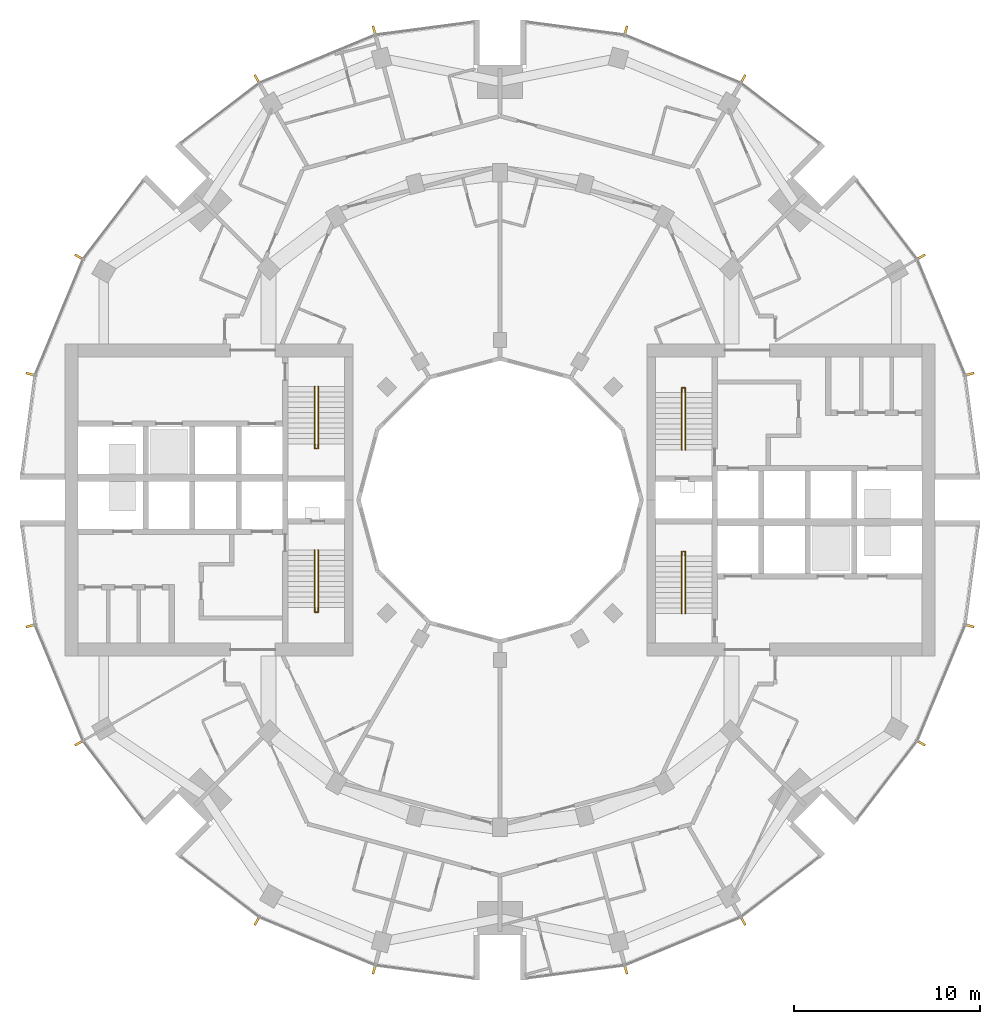
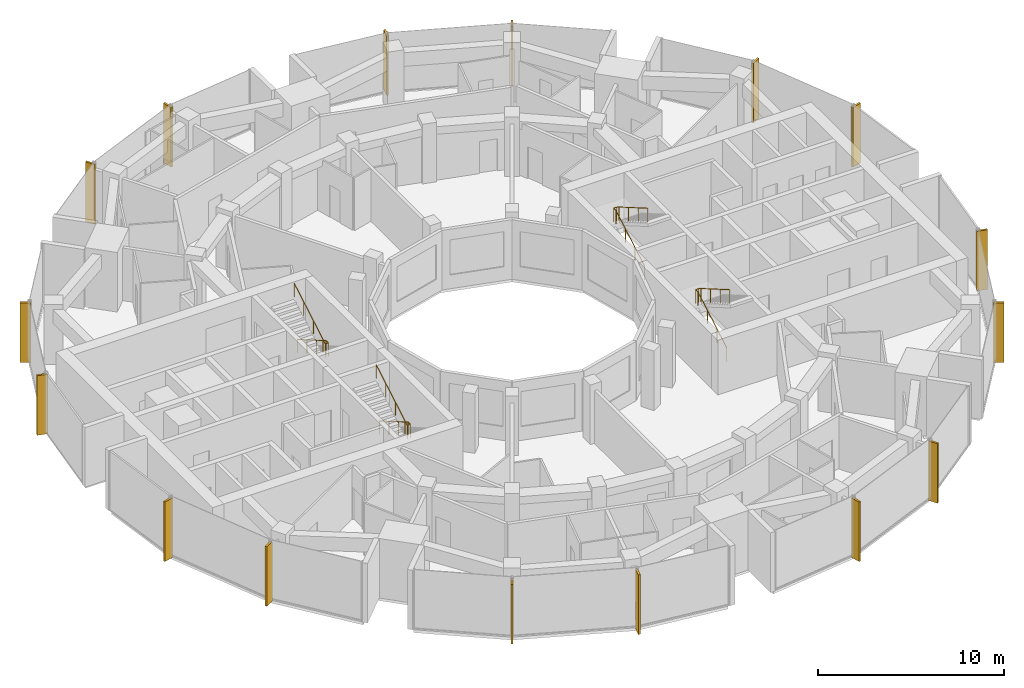
# One storey, part 14 of 15: 16 shading devices, 4 railings.
"""IFC4 building model written with IfcOpenShell, lengths in metres."""

from ifc_helpers import new_model, si_unit, direction, frame, origin, origin_2d, place, context, subcontext, project, spatial, rectangle, circle, extrude, material, material_profile, profile_set, type_object, element, save


model = new_model("IFC4")

# Units and contexts
model_context = context("Model", 3, precision=1e-05, world=origin(), true_north=direction((0.0, 1.0)))
body_context = subcontext(model_context, "Body", "Model", "MODEL_VIEW")
ifc_project = project(units=[si_unit("LENGTHUNIT", "METRE"), si_unit("AREAUNIT", "SQUARE_METRE"), si_unit("VOLUMEUNIT", "CUBIC_METRE"), si_unit("PLANEANGLEUNIT", "RADIAN"), si_unit("MASSUNIT", "GRAM", prefix="KILO")], contexts=[model_context])

# Site, building, storey
site_placement = place(None, origin())
site = spatial("IfcSite", under=ifc_project, at=site_placement, CompositionType="ELEMENT")
building_placement = place(site_placement, origin())
building = spatial("IfcBuilding", under=site, at=building_placement, Name="Torre Brocal", CompositionType="ELEMENT")
storey_placement = place(building_placement, frame((0.0, 0.0, 130.199951171875)))
storey = spatial("IfcBuildingStorey", under=building, at=storey_placement, Name="L30", CompositionType="ELEMENT", Elevation=130.199951171875)

# Shading devices
ifc_material_1 = material(Name="Aluminium, black anodised", Category="aluminium")
ifc_material_profile = material_profile(ifc_material_1, rectangle(XDim=0.1201171875, YDim=0.60009765625, at=origin_2d()), Name="FIN 120X600 3900 HIGH")
ifc_profile_set = profile_set([ifc_material_profile], Name="Aluminium, black anodised")
shading_device_type = type_object("IfcShadingDeviceType", Name="FIN 120X600 3900 HIGH", PredefinedType="USERDEFINED", material=ifc_profile_set)
for number, where, z_axis, x_axis, name in (
    (1, (105.208984375, 81.754638671875, -0.14990234375), (0.0, 0.0, 1.0), (-0.258819045103, 0.965925826289, 0.0), "FIN"),
    (2, (102.601806640625, 88.049072265625, -0.14990234375), (0.0, 0.0, 1.0), (-0.5, 0.866025403784, 0.0), "FIN"),
    (3, (93.049072265625, 97.601806640625, -0.14990234375), (0.0, 0.0, 1.0), (-0.866025403784, 0.5, 0.0), "FIN"),
    (4, (86.754638671875, 100.208984375, -0.14990234375), (0.0, 0.0, 1.0), (-0.965925826289, 0.258819045103, 0.0), "FIN"),
    (5, (73.245361328125, 100.208984375, -0.14990234375), (0.0, 0.0, 1.0), (-0.965925826289, -0.258819045103, 0.0), "FIN"),
    (6, (66.950927734375, 97.601806640625, -0.14990234375), (0.0, 0.0, 1.0), (-0.866025403784, -0.5, 0.0), "FIN"),
    (7, (57.398193359375, 88.049072265625, -0.14990234375), (0.0, 0.0, 1.0), (-0.5, -0.866025403784, 0.0), "FIN"),
    (8, (54.791015625, 81.754638671875, -0.14990234375), (0.0, 0.0, 1.0), (-0.258819045103, -0.965925826289, 0.0), "FIN"),
    (9, (54.791015625, 68.245361328125, -0.14990234375), (0.0, 0.0, 1.0), (0.258819045103, -0.965925826289, 0.0), "FIN"),
    (10, (57.398193359375, 61.950927734375, -0.14990234375), (0.0, 0.0, 1.0), (0.5, -0.866025403784, 0.0), "FIN"),
    (11, (66.950927734375, 52.398193359375, -0.14990234375), (0.0, 0.0, 1.0), (0.866025403784, -0.5, 0.0), "FIN"),
    (12, (73.245361328125, 49.791015625, -0.14990234375), (0.0, 0.0, 1.0), (0.965925826289, -0.258819045103, 0.0), "FIN"),
    (13, (86.754638671875, 49.791015625, -0.14990234375), (0.0, 0.0, 1.0), (0.965925826289, 0.258819045103, 0.0), "FIN"),
    (14, (93.049072265625, 52.398193359375, -0.14990234375), (0.0, 0.0, 1.0), (0.866025403784, 0.5, 0.0), "FIN"),
    (15, (102.601806640625, 61.950927734375, -0.14990234375), (0.0, 0.0, 1.0), (0.5, 0.866025403784, 0.0), "FIN"),
    (16, (105.208984375, 68.245361328125, -0.14990234375), (0.0, 0.0, 1.0), (0.258819045103, 0.965925826289, 0.0), "FIN"),
):
    element("IfcShadingDevice", number, at=place(storey_placement, frame(where, z_axis=z_axis, x_axis=x_axis)), inside=storey, type_object=shading_device_type, Name=name, ObjectType="FIN", PredefinedType="USERDEFINED", context=body_context, shape_type="SweptSolid", body=[
        extrude(rectangle(XDim=0.1201171875, YDim=0.60009765625, at=origin_2d()), origin(), (0.0, 0.0, 1.0), 3.89990234375),
    ])

# Railings
ifc_material_2 = material(Name="Stainless steel AISI 316", Category="steel")
railing_type = type_object("IfcRailingType", Name="STAIR HANDRAIL", PredefinedType="HANDRAIL", material=ifc_material_2)
railing_1_placement = place(storey_placement, frame((89.780029296875, 77.699951171875, 0.16259765625)))
element("IfcRailing", 17, at=railing_1_placement, inside=storey, type_object=railing_type, Name="HANDRAIL ST1", PredefinedType="HANDRAIL", context=body_context, shape_type="SweptSolid", body=[
    extrude(circle(Radius=0.02392578125, at=origin_2d()), frame((0.0, 0.0, 0.8759765625), z_axis=(0.0, 0.864920483161, 0.501908913857), x_axis=(-1.0, 0.0, 0.0)), (0.0, 0.0, 1.0), 3.56103515625),
    extrude(circle(Radius=0.02392578125, at=origin_2d()), frame((0.0, 3.080078125, 2.6630859375), z_axis=(0.0, 1.0, 0.0), x_axis=(-1.0, 0.0, 0.0)), (0.0, 0.0, 1.0), 0.25),
    extrude(circle(Radius=0.02392578125, at=origin_2d()), frame((0.0, 3.330078125, 2.6630859375), z_axis=(1.0, 0.0, 0.0), x_axis=(0.0, 1.0, 0.0)), (0.0, 0.0, 1.0), 0.18994140625),
    extrude(circle(Radius=0.02392578125, at=origin_2d()), frame((0.18994140625, 3.330078125, 2.6630859375), z_axis=(0.0, -0.838293955121, 0.545218529405), x_axis=(1.0, 0.0, 0.0)), (0.0, 0.0, 1.0), 0.29833984375),
    extrude(circle(Radius=0.02392578125, at=origin_2d()), frame((0.18994140625, 3.080078125, 2.82568359375), z_axis=(0.0, -0.864890721111, 0.501960198159), x_axis=(1.0, 0.0, 0.0)), (0.0, 0.0, 1.0), 3.561279296875),
    extrude(circle(Radius=0.02099609375, at=origin_2d()), origin(), (0.0, 0.0, 1.0), 0.851806640625),
    extrude(circle(Radius=0.02099609375, at=origin_2d()), frame((0.0, 1.026611328125, 0.595703125)), (0.0, 0.0, 1.0), 0.851806640625),
    extrude(circle(Radius=0.02099609375, at=origin_2d()), frame((0.0, 2.053466796875, 1.191650390625)), (0.0, 0.0, 1.0), 0.851806640625),
    extrude(circle(Radius=0.02099609375, at=origin_2d()), frame((0.0, 3.080078125, 1.787353515625)), (0.0, 0.0, 1.0), 0.851806640625),
    extrude(circle(Radius=0.02099609375, at=origin_2d()), frame((0.0, 3.330078125, 1.787353515625)), (0.0, 0.0, 1.0), 0.851806640625),
    extrude(circle(Radius=0.02099609375, at=origin_2d()), frame((0.18994140625, 3.330078125, 1.787353515625)), (0.0, 0.0, 1.0), 0.851806640625),
    extrude(circle(Radius=0.02099609375, at=origin_2d()), frame((0.18994140625, 3.080078125, 1.949951171875)), (0.0, 0.0, 1.0), 0.851806640625),
    extrude(circle(Radius=0.02099609375, at=origin_2d()), frame((0.18994140625, 2.053466796875, 2.5458984375)), (0.0, 0.0, 1.0), 0.851806640625),
    extrude(circle(Radius=0.02099609375, at=origin_2d()), frame((0.18994140625, 1.026611328125, 3.1416015625)), (0.0, 0.0, 1.0), 0.851806640625),
    extrude(circle(Radius=0.02099609375, at=origin_2d()), frame((0.18994140625, 0.0, 3.737548828125)), (0.0, 0.0, 1.0), 0.851806640625),
])
railing_2_placement = place(storey_placement, frame((89.780029296875, 68.89990234375, 0.16259765625)))
element("IfcRailing", 18, at=railing_2_placement, inside=storey, type_object=railing_type, Name="HANDRAIL ST2", PredefinedType="HANDRAIL", context=body_context, shape_type="SweptSolid", body=[
    extrude(circle(Radius=0.02392578125, at=origin_2d()), frame((0.0, 0.0, 0.8759765625), z_axis=(0.0, 0.864920483161, 0.501908913857), x_axis=(-1.0, 0.0, 0.0)), (0.0, 0.0, 1.0), 3.56103515625),
    extrude(circle(Radius=0.02392578125, at=origin_2d()), frame((0.0, 3.080078125, 2.6630859375), z_axis=(0.0, 1.0, 0.0), x_axis=(-1.0, 0.0, 0.0)), (0.0, 0.0, 1.0), 0.25),
    extrude(circle(Radius=0.02392578125, at=origin_2d()), frame((0.0, 3.330078125, 2.6630859375), z_axis=(1.0, 0.0, 0.0), x_axis=(0.0, 1.0, 0.0)), (0.0, 0.0, 1.0), 0.18994140625),
    extrude(circle(Radius=0.02392578125, at=origin_2d()), frame((0.18994140625, 3.330078125, 2.6630859375), z_axis=(0.0, -0.838293955121, 0.545218529405), x_axis=(1.0, 0.0, 0.0)), (0.0, 0.0, 1.0), 0.29833984375),
    extrude(circle(Radius=0.02392578125, at=origin_2d()), frame((0.18994140625, 3.080078125, 2.82568359375), z_axis=(0.0, -0.864890721111, 0.501960198159), x_axis=(1.0, 0.0, 0.0)), (0.0, 0.0, 1.0), 3.561279296875),
    extrude(circle(Radius=0.02099609375, at=origin_2d()), origin(), (0.0, 0.0, 1.0), 0.851806640625),
    extrude(circle(Radius=0.02099609375, at=origin_2d()), frame((0.0, 1.026611328125, 0.595703125)), (0.0, 0.0, 1.0), 0.851806640625),
    extrude(circle(Radius=0.02099609375, at=origin_2d()), frame((0.0, 2.053466796875, 1.191650390625)), (0.0, 0.0, 1.0), 0.851806640625),
    extrude(circle(Radius=0.02099609375, at=origin_2d()), frame((0.0, 3.080078125, 1.787353515625)), (0.0, 0.0, 1.0), 0.851806640625),
    extrude(circle(Radius=0.02099609375, at=origin_2d()), frame((0.0, 3.330078125, 1.787353515625)), (0.0, 0.0, 1.0), 0.851806640625),
    extrude(circle(Radius=0.02099609375, at=origin_2d()), frame((0.18994140625, 3.330078125, 1.787353515625)), (0.0, 0.0, 1.0), 0.851806640625),
    extrude(circle(Radius=0.02099609375, at=origin_2d()), frame((0.18994140625, 3.080078125, 1.949951171875)), (0.0, 0.0, 1.0), 0.851806640625),
    extrude(circle(Radius=0.02099609375, at=origin_2d()), frame((0.18994140625, 2.053466796875, 2.5458984375)), (0.0, 0.0, 1.0), 0.851806640625),
    extrude(circle(Radius=0.02099609375, at=origin_2d()), frame((0.18994140625, 1.026611328125, 3.1416015625)), (0.0, 0.0, 1.0), 0.851806640625),
    extrude(circle(Radius=0.02099609375, at=origin_2d()), frame((0.18994140625, 0.0, 3.737548828125)), (0.0, 0.0, 1.0), 0.851806640625),
])
railing_3_placement = place(storey_placement, frame((70.219970703125, 72.300048828125, 0.16259765625)))
element("IfcRailing", 19, at=railing_3_placement, inside=storey, type_object=railing_type, Name="HANDRAIL ST3", PredefinedType="HANDRAIL", context=body_context, shape_type="SweptSolid", body=[
    extrude(circle(Radius=0.02392578125, at=origin_2d()), frame((0.0, 0.0, 0.8759765625), z_axis=(0.0, -0.864920483161, 0.501908913857), x_axis=(1.0, 0.0, 0.0)), (0.0, 0.0, 1.0), 3.56103515625),
    extrude(circle(Radius=0.02392578125, at=origin_2d()), frame((0.0, -3.080078125, 2.6630859375), z_axis=(0.0, -1.0, 0.0), x_axis=(1.0, 0.0, 0.0)), (0.0, 0.0, 1.0), 0.25),
    extrude(circle(Radius=0.02392578125, at=origin_2d()), frame((0.0, -3.330078125, 2.6630859375), z_axis=(-1.0, 0.0, 0.0), x_axis=(0.0, -1.0, 0.0)), (0.0, 0.0, 1.0), 0.18994140625),
    extrude(circle(Radius=0.02392578125, at=origin_2d()), frame((-0.18994140625, -3.330078125, 2.6630859375), z_axis=(0.0, 0.838293955121, 0.545218529405), x_axis=(-1.0, 0.0, 0.0)), (0.0, 0.0, 1.0), 0.29833984375),
    extrude(circle(Radius=0.02392578125, at=origin_2d()), frame((-0.18994140625, -3.080078125, 2.82568359375), z_axis=(0.0, 0.864890721111, 0.501960198159), x_axis=(-1.0, 0.0, 0.0)), (0.0, 0.0, 1.0), 3.561279296875),
    extrude(circle(Radius=0.02099609375, at=origin_2d()), origin(), (0.0, 0.0, 1.0), 0.851806640625),
    extrude(circle(Radius=0.02099609375, at=origin_2d()), frame((0.0, -1.026611328125, 0.595703125)), (0.0, 0.0, 1.0), 0.851806640625),
    extrude(circle(Radius=0.02099609375, at=origin_2d()), frame((0.0, -2.053466796875, 1.191650390625)), (0.0, 0.0, 1.0), 0.851806640625),
    extrude(circle(Radius=0.02099609375, at=origin_2d()), frame((0.0, -3.080078125, 1.787353515625)), (0.0, 0.0, 1.0), 0.851806640625),
    extrude(circle(Radius=0.02099609375, at=origin_2d()), frame((0.0, -3.330078125, 1.787353515625)), (0.0, 0.0, 1.0), 0.851806640625),
    extrude(circle(Radius=0.02099609375, at=origin_2d()), frame((-0.18994140625, -3.330078125, 1.787353515625)), (0.0, 0.0, 1.0), 0.851806640625),
    extrude(circle(Radius=0.02099609375, at=origin_2d()), frame((-0.18994140625, -3.080078125, 1.949951171875)), (0.0, 0.0, 1.0), 0.851806640625),
    extrude(circle(Radius=0.02099609375, at=origin_2d()), frame((-0.18994140625, -2.053466796875, 2.5458984375)), (0.0, 0.0, 1.0), 0.851806640625),
    extrude(circle(Radius=0.02099609375, at=origin_2d()), frame((-0.18994140625, -1.026611328125, 3.1416015625)), (0.0, 0.0, 1.0), 0.851806640625),
    extrude(circle(Radius=0.02099609375, at=origin_2d()), frame((-0.18994140625, 0.0, 3.737548828125)), (0.0, 0.0, 1.0), 0.851806640625),
])
railing_4_placement = place(storey_placement, frame((70.219970703125, 81.10009765625, 0.16259765625)))
element("IfcRailing", 20, at=railing_4_placement, inside=storey, type_object=railing_type, Name="HANDRAIL ST4", PredefinedType="HANDRAIL", context=body_context, shape_type="SweptSolid", body=[
    extrude(circle(Radius=0.02392578125, at=origin_2d()), frame((0.0, 0.0, 0.8759765625), z_axis=(0.0, -0.864920483161, 0.501908913857), x_axis=(1.0, 0.0, 0.0)), (0.0, 0.0, 1.0), 3.56103515625),
    extrude(circle(Radius=0.02392578125, at=origin_2d()), frame((0.0, -3.080078125, 2.6630859375), z_axis=(0.0, -1.0, 0.0), x_axis=(1.0, 0.0, 0.0)), (0.0, 0.0, 1.0), 0.25),
    extrude(circle(Radius=0.02392578125, at=origin_2d()), frame((0.0, -3.330078125, 2.6630859375), z_axis=(-1.0, 0.0, 0.0), x_axis=(0.0, -1.0, 0.0)), (0.0, 0.0, 1.0), 0.18994140625),
    extrude(circle(Radius=0.02392578125, at=origin_2d()), frame((-0.18994140625, -3.330078125, 2.6630859375), z_axis=(0.0, 0.838293955121, 0.545218529405), x_axis=(-1.0, 0.0, 0.0)), (0.0, 0.0, 1.0), 0.29833984375),
    extrude(circle(Radius=0.02392578125, at=origin_2d()), frame((-0.18994140625, -3.080078125, 2.82568359375), z_axis=(0.0, 0.864890721111, 0.501960198159), x_axis=(-1.0, 0.0, 0.0)), (0.0, 0.0, 1.0), 3.561279296875),
    extrude(circle(Radius=0.02099609375, at=origin_2d()), origin(), (0.0, 0.0, 1.0), 0.851806640625),
    extrude(circle(Radius=0.02099609375, at=origin_2d()), frame((0.0, -1.026611328125, 0.595703125)), (0.0, 0.0, 1.0), 0.851806640625),
    extrude(circle(Radius=0.02099609375, at=origin_2d()), frame((0.0, -2.053466796875, 1.191650390625)), (0.0, 0.0, 1.0), 0.851806640625),
    extrude(circle(Radius=0.02099609375, at=origin_2d()), frame((0.0, -3.080078125, 1.787353515625)), (0.0, 0.0, 1.0), 0.851806640625),
    extrude(circle(Radius=0.02099609375, at=origin_2d()), frame((0.0, -3.330078125, 1.787353515625)), (0.0, 0.0, 1.0), 0.851806640625),
    extrude(circle(Radius=0.02099609375, at=origin_2d()), frame((-0.18994140625, -3.330078125, 1.787353515625)), (0.0, 0.0, 1.0), 0.851806640625),
    extrude(circle(Radius=0.02099609375, at=origin_2d()), frame((-0.18994140625, -3.080078125, 1.949951171875)), (0.0, 0.0, 1.0), 0.851806640625),
    extrude(circle(Radius=0.02099609375, at=origin_2d()), frame((-0.18994140625, -2.053466796875, 2.5458984375)), (0.0, 0.0, 1.0), 0.851806640625),
    extrude(circle(Radius=0.02099609375, at=origin_2d()), frame((-0.18994140625, -1.026611328125, 3.1416015625)), (0.0, 0.0, 1.0), 0.851806640625),
    extrude(circle(Radius=0.02099609375, at=origin_2d()), frame((-0.18994140625, 0.0, 3.737548828125)), (0.0, 0.0, 1.0), 0.851806640625),
])

save(model, "model.ifc")
